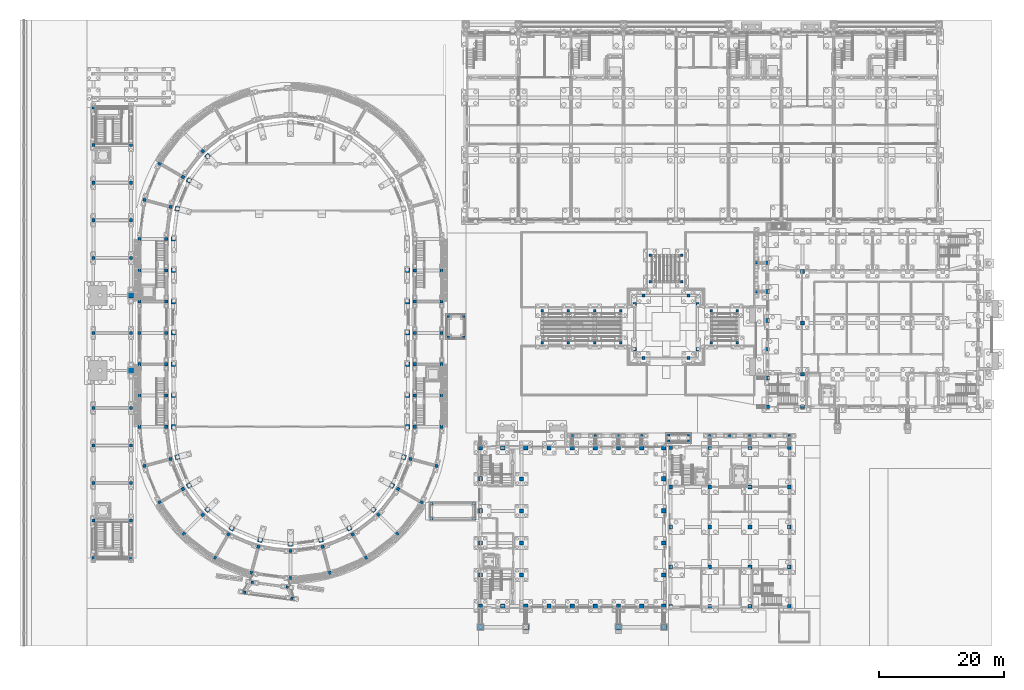
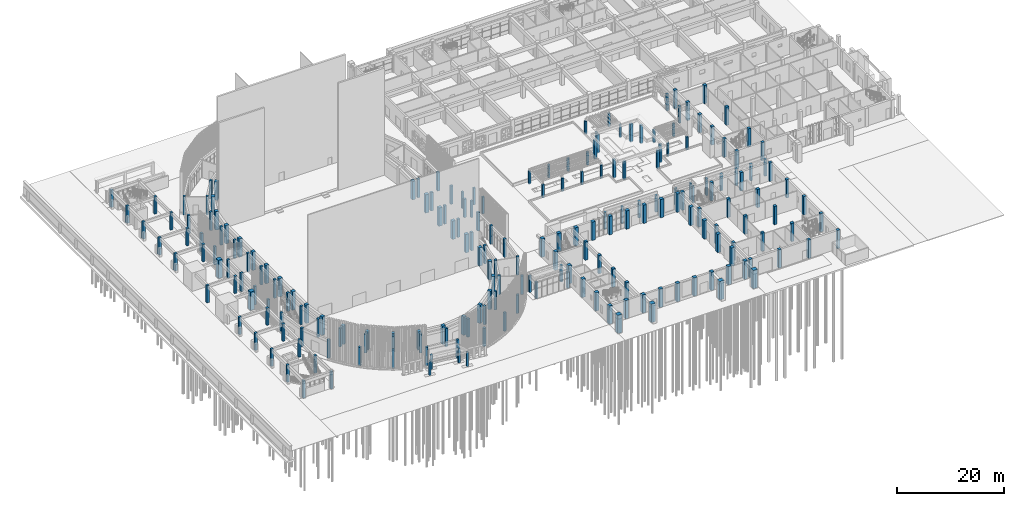
# One storey, part 12 of 112: 218 columns.
"""IFC4 building model written with IfcOpenShell, lengths in metres."""

import ifcopenshell
import ifcopenshell.guid

model = None  # the IFC model being written
_history = None  # IfcOwnerHistory: only IFC2X3 demands one
_inside = {}  # id of a spatial element -> (the spatial element, [elements in it])
_under = {}  # id of a project, library or spatial element -> (it, [spatial elements below it])
_declared = {}  # id of a project -> (the project, [libraries it declares])
_typed = {}  # id of a type object -> (the type object, [elements of that type])
_made_of = {}  # id of a material, layer set ... -> (it, [elements and type objects made of it])


def new_model(schema):
    """Start an empty IFC model of exactly this schema.

    Asked for "IFC4X3", IfcOpenShell would pick the latest addendum, in which some entities
    have other attributes; the version numbers below select the first issue.
    IFC2X3 requires an IfcOwnerHistory on every rooted entity: one is made here for all.
    """
    global model, _history
    if schema == "IFC4X3":
        model = ifcopenshell.file(schema_version=(4, 3, 0, 0))
    else:
        model = ifcopenshell.file(schema=schema)
    _inside.clear()
    _under.clear()
    _declared.clear()
    _typed.clear()
    _made_of.clear()
    _history = None
    if model.schema == "IFC2X3":
        org = make("IfcOrganization", Name="unknown")
        user = make(
            "IfcPersonAndOrganization",
            ThePerson=make("IfcPerson", FamilyName="unknown"),
            TheOrganization=org,
        )
        app = make(
            "IfcApplication",
            ApplicationDeveloper=org,
            Version="unknown",
            ApplicationFullName="unknown",
            ApplicationIdentifier="unknown",
        )
        _history = make(
            "IfcOwnerHistory",
            OwningUser=user,
            OwningApplication=app,
            ChangeAction="ADDED",
            CreationDate=0,
        )
    return model


def make(cls, **values):
    """One entity of the class cls with the attributes given. An attribute that is None is left unset."""
    return model.create_entity(
        cls, **{name: value for name, value in values.items() if value is not None}
    )


def rooted(cls, **values):
    """An entity with a GlobalId (a new one), such as an element, a storey or a relation."""
    return make(cls, GlobalId=ifcopenshell.guid.new(), OwnerHistory=_history, **values)


def si_unit(unit_type, name, prefix=None):
    """IfcSIUnit, for example si_unit("LENGTHUNIT", "METRE", prefix="MILLI")."""
    return make("IfcSIUnit", UnitType=unit_type, Prefix=prefix, Name=name)


def assignment(units):
    """IfcUnitAssignment: the units of a project."""
    return None if units is None else make("IfcUnitAssignment", Units=units)


def point(xyz):
    """IfcCartesianPoint."""
    return None if xyz is None else make("IfcCartesianPoint", Coordinates=xyz)


def direction(xyz):
    """IfcDirection."""
    return None if xyz is None else make("IfcDirection", DirectionRatios=xyz)


def frame(location, z_axis=None, x_axis=None):
    """IfcAxis2Placement3D, a coordinate frame: its origin and axes. An axis left out is left unset."""
    return make(
        "IfcAxis2Placement3D",
        Location=point(location),
        Axis=direction(z_axis),
        RefDirection=direction(x_axis),
    )


def frame_2d(location, x_axis=None):
    """IfcAxis2Placement2D, a coordinate frame in the plane: its origin and x axis."""
    return make(
        "IfcAxis2Placement2D", Location=point(location), RefDirection=direction(x_axis)
    )


def origin():
    """The frame at (0, 0, 0) with its axes left unset."""
    return frame((0.0, 0.0, 0.0))


def origin_2d():
    """The frame at (0, 0) in the plane with its x axis left unset."""
    return frame_2d((0.0, 0.0))


def place(relative_to, where):
    """IfcLocalPlacement: puts the frame where relative to a parent placement (None: the world)."""
    return make(
        "IfcLocalPlacement", PlacementRelTo=relative_to, RelativePlacement=where
    )


def context(
    kind, dimensions, precision=None, world=None, true_north=None, identifier=None
):
    """IfcGeometricRepresentationContext, for example the 3D "Model" context."""
    return make(
        "IfcGeometricRepresentationContext",
        ContextIdentifier=identifier,
        ContextType=kind,
        CoordinateSpaceDimension=dimensions,
        Precision=precision,
        WorldCoordinateSystem=world,
        TrueNorth=true_north,
    )


def subcontext(parent, identifier, kind, view, scale=None):
    """IfcGeometricRepresentationSubContext, for example "Body" below "Model"."""
    return make(
        "IfcGeometricRepresentationSubContext",
        ContextIdentifier=identifier,
        ContextType=kind,
        ParentContext=parent,
        TargetScale=scale,
        TargetView=view,
    )


def project(units=None, contexts=None):
    """IfcProject with its units and contexts."""
    return rooted(
        "IfcProject",
        Name="project",
        RepresentationContexts=contexts,
        UnitsInContext=assignment(units),
    )


def spatial(cls, under=None, at=None, **own):
    """A site, building, storey or space (cls), placed at a placement, below another one or the project."""
    s = rooted(cls, ObjectPlacement=at, **own)
    if under is not None:
        _under.setdefault(under.id(), (under, []))[1].append(s)
    return s


def profile(cls, at=None, kind="AREA", **sizes):
    """A parametric profile (cls). Its sizes go by their IFC names, for example OverallWidth=200.0."""
    return make(cls, ProfileType=kind, Position=at, **sizes)


def rectangle(**sizes):
    """IfcRectangleProfileDef."""
    return profile("IfcRectangleProfileDef", **sizes)


def extrude(swept, where, along, depth):
    """IfcExtrudedAreaSolid: the profile swept, set in the frame where, extruded along a direction by depth."""
    return make(
        "IfcExtrudedAreaSolid",
        SweptArea=swept,
        Position=where,
        ExtrudedDirection=direction(along),
        Depth=depth,
    )


def shape(context_of_items, identifier, shape_type, items):
    """IfcShapeRepresentation: the items that make up one representation, for example the "Body"."""
    return make(
        "IfcShapeRepresentation",
        ContextOfItems=context_of_items,
        RepresentationIdentifier=identifier,
        RepresentationType=shape_type,
        Items=items,
    )


def material(Name=None, Category=None):
    """IfcMaterial."""
    return make("IfcMaterial", Name=Name, Category=Category)


def material_profile(
    of_material, cross_section, Name=None, Category=None, Priority=None
):
    """IfcMaterialProfile: a cross section and its material."""
    return make(
        "IfcMaterialProfile",
        Name=Name,
        Material=of_material,
        Profile=cross_section,
        Priority=Priority,
        Category=Category,
    )


def profile_set(profiles, Name=None, composite=None):
    """IfcMaterialProfileSet."""
    return make(
        "IfcMaterialProfileSet",
        Name=Name,
        MaterialProfiles=profiles,
        CompositeProfile=composite,
    )


def made_of(thing, what):
    """Note that an element or type object is made of a material, layer set ...; save() writes the relation."""
    if what is not None:
        _made_of.setdefault(what.id(), (what, []))[1].append(thing)
    return thing


def type_object(cls, material=None, **own):
    """A type object (cls), such as IfcWallType, which elements share."""
    return made_of(rooted(cls, **own), material)


def element(
    cls,
    number,
    at=None,
    inside=None,
    cuts=None,
    type_object=None,
    material=None,
    context=None,
    identifier="Body",
    shape_type=None,
    held_by="IfcProductDefinitionShape",
    body=None,
    shapes=None,
    **own,
):
    """One element of the class cls, such as IfcWall. Its Tag is "e" and its number.

    at: its placement. inside: the storey or other place that contains it. cuts: it is an
    opening in that element (IfcRelVoidsElement). A single representation is given by context,
    identifier, shape_type and body (its items); several are given by shapes. held_by: the class
    of the entity that holds the representations. save() writes the other relations.
    """
    e = rooted(cls, Tag="e%d" % number, ObjectPlacement=at, **own)
    if body is not None:
        shapes = [shape(context, identifier, shape_type, body)]
    if shapes is not None:
        e.Representation = make(held_by, Representations=shapes)
    if inside is not None:
        _inside.setdefault(inside.id(), (inside, []))[1].append(e)
    if cuts is not None:
        rooted(
            "IfcRelVoidsElement", RelatingBuildingElement=cuts, RelatedOpeningElement=e
        )
    if type_object is not None:
        _typed.setdefault(type_object.id(), (type_object, []))[1].append(e)
    return made_of(e, material)


def aggregate(whole, parts):
    """IfcRelAggregates: a whole, such as a stair, and the parts it consists of."""
    return rooted("IfcRelAggregates", RelatingObject=whole, RelatedObjects=parts)


def save(model, path):
    """Write the relations noted so far, then the file.

    IfcRelAggregates (storeys below a building ...), IfcRelContainedInSpatialStructure (elements
    in a storey), IfcRelDefinesByType, IfcRelAssociatesMaterial and IfcRelDeclares: one each for
    every whole, place, type object, material and project.
    """
    for whole, parts in _under.values():
        aggregate(whole, parts)
    for where, things in _inside.values():
        rooted(
            "IfcRelContainedInSpatialStructure",
            RelatedElements=things,
            RelatingStructure=where,
        )
    for kind, things in _typed.values():
        rooted("IfcRelDefinesByType", RelatedObjects=things, RelatingType=kind)
    for what, things in _made_of.values():
        rooted("IfcRelAssociatesMaterial", RelatedObjects=things, RelatingMaterial=what)
    for by, libraries in _declared.values():
        rooted("IfcRelDeclares", RelatingContext=by, RelatedDefinitions=libraries)
    model.write(path)


model = new_model("IFC4")

# Units and contexts
model_context = context("Model", 3, precision=1e-05, world=origin(), true_north=direction((0.0, 1.0)))
body_context = subcontext(model_context, "Body", "Model", "MODEL_VIEW")
ifc_project = project(units=[si_unit("LENGTHUNIT", "METRE"), si_unit("AREAUNIT", "SQUARE_METRE"), si_unit("VOLUMEUNIT", "CUBIC_METRE"), si_unit("PLANEANGLEUNIT", "RADIAN"), si_unit("MASSUNIT", "GRAM", prefix="KILO")], contexts=[model_context])

# Site, building, storey
site_placement = place(None, origin())
site = spatial("IfcSite", under=ifc_project, at=site_placement, CompositionType="ELEMENT")
building_placement = place(site_placement, origin())
building = spatial("IfcBuilding", under=site, at=building_placement, Name="Wasatch Bagh Community Centre", CompositionType="ELEMENT")
storey_placement = place(building_placement, origin())
storey = spatial("IfcBuildingStorey", under=building, at=storey_placement, Name="L00", CompositionType="ELEMENT", Elevation=0.0)

# Columns
ifc_material = material(Name="Concrete C40", Category="concrete")
ifc_material_profile_1 = material_profile(ifc_material, rectangle(XDim=0.449951171875, YDim=0.449951171875, at=origin_2d()), Name="RC 450x450")
ifc_profile_set_1 = profile_set([ifc_material_profile_1], Name="Concrete C40")
column_type_1 = type_object("IfcColumnType", Name="CL-C1", PredefinedType="COLUMN", material=ifc_profile_set_1)
for number, where, z_axis, x_axis, name in (
    (1, (81.0, 33.550048828125, 0.0), (0.0, 0.0, 1.0), (1.0, 0.0, 0.0), "CL-C1 arcade column DH 1"),
    (2, (84.699951171875, 33.550048828125, 0.0), (0.0, 0.0, 1.0), (1.0, 0.0, 0.0), "CL-C1 arcade column DH 2"),
    (3, (88.39990234375, 33.550048828125, 0.0), (0.0, 0.0, 1.0), (1.0, 0.0, 0.0), "CL-C1 arcade column DH 3"),
    (4, (92.10009765625, 33.550048828125, 0.0), (0.0, 0.0, 1.0), (1.0, 0.0, 0.0), "CL-C1 arcade column DH 4"),
    (5, (103.0, 33.550048828125, 0.0), (0.0, 0.0, 1.0), (1.0, 0.0, 0.0), "CL-C1 arcade column KW 1"),
    (6, (106.199951171875, 33.550048828125, 0.0), (0.0, 0.0, 1.0), (1.0, 0.0, 0.0), "CL-C1 arcade column KW 2"),
    (7, (109.39990234375, 33.550048828125, 0.0), (0.0, 0.0, 1.0), (1.0, 0.0, 0.0), "CL-C1 arcade column KW 3"),
    (8, (112.550048828125, 33.550048828125, 0.0), (0.0, 0.0, 1.0), (1.0, 0.0, 0.0), "CL-C1 arcade column KW 4"),
    (9, (115.699951171875, 33.550048828125, 0.0), (0.0, 0.0, 1.0), (1.0, 0.0, 0.0), "CL-C1 arcade column KW 5"),
    (10, (110.449951171875, 56.60009765625, 0.0), (0.0, 0.0, 1.0), (1.0, 0.0, 0.0), "CL-C1 arcade column SH 1"),
    (11, (110.449951171875, 61.199951171875, 0.0), (0.0, 0.0, 1.0), (1.0, 0.0, 0.0), "CL-C1 arcade column SH 2"),
):
    element("IfcColumn", number, at=place(storey_placement, frame(where, z_axis=z_axis, x_axis=x_axis)), inside=storey, type_object=column_type_1, Name=name, PredefinedType="COLUMN", context=body_context, shape_type="SweptSolid", body=[
        extrude(rectangle(XDim=0.449951171875, YDim=0.449951171875, at=origin_2d()), origin(), (0.0, 0.0, 1.0), 3.85009765625),
    ])
ifc_material_profile_2 = material_profile(ifc_material, rectangle(XDim=0.89990234375, YDim=0.89990234375, at=origin_2d()), Name="RC 900x900")
ifc_profile_set_2 = profile_set([ifc_material_profile_2], Name="Concrete C40")
column_type_2 = type_object("IfcColumnType", Name="CL-P1", PredefinedType="COLUMN", material=ifc_profile_set_2)
for number, where, z_axis, x_axis, name in (
    (12, (66.35009765625, 3.0, 0.0), (0.0, 0.0, 1.0), (1.0, 0.0, 0.0), "CL-P1 pier DHP1"),
    (13, (73.60009765625, 3.0, 0.0), (0.0, 0.0, 1.0), (1.0, 0.0, 0.0), "CL-P1 pier DHP2"),
    (14, (88.39990234375, 3.0, 0.0), (0.0, 0.0, 1.0), (1.0, 0.0, 0.0), "CL-P1 pier DHP3"),
    (15, (95.64990234375, 3.0, 0.0), (0.0, 0.0, 1.0), (1.0, 0.0, 0.0), "CL-P1 pier DHP4"),
):
    element("IfcColumn", number, at=place(storey_placement, frame(where, z_axis=z_axis, x_axis=x_axis)), inside=storey, type_object=column_type_2, Name=name, PredefinedType="COLUMN", context=body_context, shape_type="SweptSolid", body=[
        extrude(rectangle(XDim=0.89990234375, YDim=0.89990234375, at=origin_2d()), origin(), (0.0, 0.0, 1.0), 4.199951171875),
    ])
ifc_material_profile_3 = material_profile(ifc_material, rectangle(XDim=0.89990234375, YDim=0.89990234375, at=origin_2d()), Name="RC 900x900")
ifc_profile_set_3 = profile_set([ifc_material_profile_3], Name="Concrete C40")
column_type_3 = type_object("IfcColumnType", Name="CP-C1", PredefinedType="COLUMN", material=ifc_profile_set_3)
for number, where, z_axis, x_axis, name in (
    (16, (10.5, 44.0, 0.0), (0.0, 0.0, 1.0), (1.0, 0.0, 0.0), "CP-C1 rear post 1"),
    (17, (10.5, 56.0, 0.0), (0.0, 0.0, 1.0), (1.0, 0.0, 0.0), "CP-C1 rear post 2"),
):
    element("IfcColumn", number, at=place(storey_placement, frame(where, z_axis=z_axis, x_axis=x_axis)), inside=storey, type_object=column_type_3, Name=name, PredefinedType="COLUMN", context=body_context, shape_type="SweptSolid", body=[
        extrude(rectangle(XDim=0.89990234375, YDim=0.89990234375, at=origin_2d()), origin(), (0.0, 0.0, 1.0), 4.199951171875),
    ])
ifc_material_profile_4 = material_profile(ifc_material, rectangle(XDim=0.5, YDim=0.5, at=origin_2d()), Name="RC 500x500")
ifc_profile_set_4 = profile_set([ifc_material_profile_4], Name="Concrete C40")
column_type_4 = type_object("IfcColumnType", Name="CT-C1", PredefinedType="COLUMN", material=ifc_profile_set_4)
for number, where, z_axis, x_axis, name in (
    (18, (4.5, 14.0, 0.0), (0.0, 0.0, 1.0), (1.0, 0.0, 0.0), "CT-C1 column 1.1"),
    (19, (10.5, 14.0, 0.0), (0.0, 0.0, 1.0), (1.0, 0.0, 0.0), "CT-C1 column 1.2"),
    (20, (4.5, 20.0, 0.0), (0.0, 0.0, 1.0), (1.0, 0.0, 0.0), "CT-C1 column 2.1"),
    (21, (10.5, 20.0, 0.0), (0.0, 0.0, 1.0), (1.0, 0.0, 0.0), "CT-C1 column 2.2"),
    (22, (4.5, 26.0, 0.0), (0.0, 0.0, 1.0), (1.0, 0.0, 0.0), "CT-C1 column 3.1"),
    (23, (10.5, 26.0, 0.0), (0.0, 0.0, 1.0), (1.0, 0.0, 0.0), "CT-C1 column 3.2"),
    (24, (4.5, 32.0, 0.0), (0.0, 0.0, 1.0), (1.0, 0.0, 0.0), "CT-C1 column 4.1"),
    (25, (10.5, 32.0, 0.0), (0.0, 0.0, 1.0), (1.0, 0.0, 0.0), "CT-C1 column 4.2"),
    (26, (4.5, 38.0, 0.0), (0.0, 0.0, 1.0), (1.0, 0.0, 0.0), "CT-C1 column 5.1"),
    (27, (10.5, 38.0, 0.0), (0.0, 0.0, 1.0), (1.0, 0.0, 0.0), "CT-C1 column 5.2"),
    (28, (4.5, 50.0, 0.0), (0.0, 0.0, 1.0), (1.0, 0.0, 0.0), "CT-C1 column 7.1"),
    (29, (10.5, 50.0, 0.0), (0.0, 0.0, 1.0), (1.0, 0.0, 0.0), "CT-C1 column 7.2"),
    (30, (4.5, 62.0, 0.0), (0.0, 0.0, 1.0), (1.0, 0.0, 0.0), "CT-C1 column 9.1"),
    (31, (10.5, 62.0, 0.0), (0.0, 0.0, 1.0), (1.0, 0.0, 0.0), "CT-C1 column 9.2"),
    (32, (4.5, 68.0, 0.0), (0.0, 0.0, 1.0), (1.0, 0.0, 0.0), "CT-C1 column 10.1"),
    (33, (10.5, 68.0, 0.0), (0.0, 0.0, 1.0), (1.0, 0.0, 0.0), "CT-C1 column 10.2"),
    (34, (4.5, 74.0, 0.0), (0.0, 0.0, 1.0), (1.0, 0.0, 0.0), "CT-C1 column 11.1"),
    (35, (10.5, 74.0, 0.0), (0.0, 0.0, 1.0), (1.0, 0.0, 0.0), "CT-C1 column 11.2"),
    (36, (4.5, 80.0, 0.0), (0.0, 0.0, 1.0), (1.0, 0.0, 0.0), "CT-C1 column 12.1"),
    (37, (10.5, 80.0, 0.0), (0.0, 0.0, 1.0), (1.0, 0.0, 0.0), "CT-C1 column 12.2"),
    (38, (4.5, 86.0, 0.0), (0.0, 0.0, 1.0), (1.0, 0.0, 0.0), "CT-C1 column 13.1"),
):
    element("IfcColumn", number, at=place(storey_placement, frame(where, z_axis=z_axis, x_axis=x_axis)), inside=storey, type_object=column_type_4, Name=name, PredefinedType="COLUMN", context=body_context, shape_type="SweptSolid", body=[
        extrude(rectangle(XDim=0.5, YDim=0.5, at=origin_2d()), origin(), (0.0, 0.0, 1.0), 3.949951171875),
    ])
ifc_material_profile_5 = material_profile(ifc_material, rectangle(XDim=0.60009765625, YDim=0.60009765625, at=origin_2d()), Name="RC 600x600")
ifc_profile_set_5 = profile_set([ifc_material_profile_5], Name="Concrete C40")
column_type_5 = type_object("IfcColumnType", Name="DH RC 600x600 column", PredefinedType="COLUMN", material=ifc_profile_set_5)
for number, where, z_axis, x_axis, name in (
    (39, (72.89990234375, 11.320068359375, 0.0), (0.0, 0.0, 1.0), (1.0, 0.0, 0.0), "DH.col.L00.g01"),
    (40, (72.89990234375, 16.43994140625, 0.0), (0.0, 0.0, 1.0), (1.0, 0.0, 0.0), "DH.col.L00.g02"),
    (41, (72.89990234375, 21.56005859375, 0.0), (0.0, 0.0, 1.0), (1.0, 0.0, 0.0), "DH.col.L00.g03"),
    (42, (72.89990234375, 26.679931640625, 0.0), (0.0, 0.0, 1.0), (1.0, 0.0, 0.0), "DH.col.L00.g04"),
):
    element("IfcColumn", number, at=place(storey_placement, frame(where, z_axis=z_axis, x_axis=x_axis)), inside=storey, type_object=column_type_5, Name=name, PredefinedType="COLUMN", context=body_context, shape_type="SweptSolid", body=[
        extrude(rectangle(XDim=0.60009765625, YDim=0.60009765625, at=origin_2d()), origin(), (0.0, 0.0, 1.0), 4.199951171875),
    ])
ifc_material_profile_6 = material_profile(ifc_material, rectangle(XDim=0.699951171875, YDim=0.699951171875, at=origin_2d()), Name="RC 700x700")
ifc_profile_set_6 = profile_set([ifc_material_profile_6], Name="Concrete C40")
column_type_6 = type_object("IfcColumnType", Name="DH RC 700x700 column", PredefinedType="COLUMN", material=ifc_profile_set_6)
for number, where, z_axis, x_axis, name in (
    (43, (66.35009765625, 6.35009765625, 0.0), (0.0, 0.0, 1.0), (1.0, 0.0, 0.0), "DH.col.L00.01"),
    (44, (69.89990234375, 6.35009765625, 0.0), (0.0, 0.0, 1.0), (1.0, 0.0, 0.0), "DH.col.L00.02"),
    (45, (73.60009765625, 6.35009765625, 0.0), (0.0, 0.0, 1.0), (1.0, 0.0, 0.0), "DH.col.L00.03"),
    (46, (77.300048828125, 6.35009765625, 0.0), (0.0, 0.0, 1.0), (1.0, 0.0, 0.0), "DH.col.L00.04"),
    (47, (81.0, 6.35009765625, 0.0), (0.0, 0.0, 1.0), (1.0, 0.0, 0.0), "DH.col.L00.05"),
    (48, (84.699951171875, 6.35009765625, 0.0), (0.0, 0.0, 1.0), (1.0, 0.0, 0.0), "DH.col.L00.06"),
    (49, (88.39990234375, 6.35009765625, 0.0), (0.0, 0.0, 1.0), (1.0, 0.0, 0.0), "DH.col.L00.07"),
    (50, (92.10009765625, 6.35009765625, 0.0), (0.0, 0.0, 1.0), (1.0, 0.0, 0.0), "DH.col.L00.08"),
    (51, (95.64990234375, 6.35009765625, 0.0), (0.0, 0.0, 1.0), (1.0, 0.0, 0.0), "DH.col.L00.09"),
    (52, (66.35009765625, 31.64990234375, 0.0), (0.0, 0.0, 1.0), (1.0, 0.0, 0.0), "DH.col.L00.10"),
    (53, (69.89990234375, 31.64990234375, 0.0), (0.0, 0.0, 1.0), (1.0, 0.0, 0.0), "DH.col.L00.11"),
    (54, (73.60009765625, 31.64990234375, 0.0), (0.0, 0.0, 1.0), (1.0, 0.0, 0.0), "DH.col.L00.12"),
    (55, (77.300048828125, 31.64990234375, 0.0), (0.0, 0.0, 1.0), (1.0, 0.0, 0.0), "DH.col.L00.13"),
    (56, (81.0, 31.64990234375, 0.0), (0.0, 0.0, 1.0), (1.0, 0.0, 0.0), "DH.col.L00.14"),
    (57, (84.699951171875, 31.64990234375, 0.0), (0.0, 0.0, 1.0), (1.0, 0.0, 0.0), "DH.col.L00.15"),
    (58, (88.39990234375, 31.64990234375, 0.0), (0.0, 0.0, 1.0), (1.0, 0.0, 0.0), "DH.col.L00.16"),
    (59, (92.10009765625, 31.64990234375, 0.0), (0.0, 0.0, 1.0), (1.0, 0.0, 0.0), "DH.col.L00.17"),
    (60, (95.64990234375, 31.64990234375, 0.0), (0.0, 0.0, 1.0), (1.0, 0.0, 0.0), "DH.col.L00.18"),
    (61, (66.35009765625, 11.320068359375, 0.0), (0.0, 0.0, 1.0), (1.0, 0.0, 0.0), "DH.col.L00.19"),
    (62, (66.35009765625, 16.43994140625, 0.0), (0.0, 0.0, 1.0), (1.0, 0.0, 0.0), "DH.col.L00.20"),
    (63, (66.35009765625, 21.56005859375, 0.0), (0.0, 0.0, 1.0), (1.0, 0.0, 0.0), "DH.col.L00.21"),
    (64, (66.35009765625, 26.679931640625, 0.0), (0.0, 0.0, 1.0), (1.0, 0.0, 0.0), "DH.col.L00.22"),
    (65, (95.64990234375, 11.320068359375, 0.0), (0.0, 0.0, 1.0), (1.0, 0.0, 0.0), "DH.col.L00.23"),
    (66, (95.64990234375, 16.43994140625, 0.0), (0.0, 0.0, 1.0), (1.0, 0.0, 0.0), "DH.col.L00.24"),
    (67, (95.64990234375, 21.56005859375, 0.0), (0.0, 0.0, 1.0), (1.0, 0.0, 0.0), "DH.col.L00.25"),
    (68, (95.64990234375, 26.679931640625, 0.0), (0.0, 0.0, 1.0), (1.0, 0.0, 0.0), "DH.col.L00.26"),
):
    element("IfcColumn", number, at=place(storey_placement, frame(where, z_axis=z_axis, x_axis=x_axis)), inside=storey, type_object=column_type_6, Name=name, PredefinedType="COLUMN", context=body_context, shape_type="SweptSolid", body=[
        extrude(rectangle(XDim=0.699951171875, YDim=0.699951171875, at=origin_2d()), origin(), (0.0, 0.0, 1.0), 4.199951171875),
    ])
ifc_material_profile_7 = material_profile(ifc_material, rectangle(XDim=0.5, YDim=0.5, at=origin_2d()), Name="RC 500x500")
ifc_profile_set_7 = profile_set([ifc_material_profile_7], Name="Concrete C40")
column_type_7 = type_object("IfcColumnType", Name="Drum column RC 500x500", PredefinedType="COLUMN", material=ifc_profile_set_7)
for number, where, z_axis, x_axis, name in (
    (69, (16.14990234375, 35.0, 0.0), (0.0, 0.0, 1.0), (1.0, 0.0, 0.0), "Column DI-W1"),
    (70, (16.826416015625, 29.862548828125, 0.0), (0.0, 0.0, 1.0), (0.965925826289, 0.258819045103, 0.0), "Column DI-S1"),
    (71, (18.809326171875, 25.074951171875, 0.0), (0.0, 0.0, 1.0), (0.866025403784, 0.5, 0.0), "Column DI-S2"),
    (72, (21.9638671875, 20.9638671875, 0.0), (0.0, 0.0, 1.0), (0.707106781187, 0.707106781187, 0.0), "Column DI-S3"),
    (73, (26.074951171875, 17.809326171875, 0.0), (0.0, 0.0, 1.0), (0.5, 0.866025403784, 0.0), "Column DI-S4"),
    (74, (30.862548828125, 15.826416015625, 0.0), (0.0, 0.0, 1.0), (0.258819045103, 0.965925826289, 0.0), "Column DI-S5"),
    (75, (36.0, 15.14990234375, 0.0), (0.0, 0.0, 1.0), (1.0, 0.0, 0.0), "Column DI-S6"),
    (76, (41.137451171875, 15.826416015625, 0.0), (0.0, 0.0, 1.0), (0.965925826289, 0.258819045103, 0.0), "Column DI-S7"),
    (77, (45.925048828125, 17.809326171875, 0.0), (0.0, 0.0, 1.0), (0.866025403784, 0.5, 0.0), "Column DI-S8"),
    (78, (50.0361328125, 20.9638671875, 0.0), (0.0, 0.0, 1.0), (0.707106781187, 0.707106781187, 0.0), "Column DI-S9"),
    (79, (53.190673828125, 25.074951171875, 0.0), (0.0, 0.0, 1.0), (0.5, 0.866025403784, 0.0), "Column DI-S10"),
    (80, (55.173583984375, 29.862548828125, 0.0), (0.0, 0.0, 1.0), (0.258819045103, 0.965925826289, 0.0), "Column DI-S11"),
    (81, (55.85009765625, 35.0, 0.0), (0.0, 0.0, 1.0), (1.0, 0.0, 0.0), "Column DI-E1"),
    (82, (55.85009765625, 40.0, 0.0), (0.0, 0.0, 1.0), (1.0, 0.0, 0.0), "Column DI-E2"),
    (83, (55.85009765625, 45.0, 0.0), (0.0, 0.0, 1.0), (1.0, 0.0, 0.0), "Column DI-E3"),
    (84, (55.85009765625, 50.0, 0.0), (0.0, 0.0, 1.0), (1.0, 0.0, 0.0), "Column DI-E4"),
    (85, (55.85009765625, 55.0, 0.0), (0.0, 0.0, 1.0), (1.0, 0.0, 0.0), "Column DI-E5"),
    (86, (55.85009765625, 60.0, 0.0), (0.0, 0.0, 1.0), (1.0, 0.0, 0.0), "Column DI-E6"),
    (87, (21.9638671875, 79.0361328125, 0.0), (0.0, 0.0, 1.0), (0.707106781187, 0.707106781187, 0.0), "Column DI-N9"),
    (88, (18.809326171875, 74.925048828125, 0.0), (0.0, 0.0, 1.0), (0.5, 0.866025403784, 0.0), "Column DI-N10"),
    (89, (16.826416015625, 70.137451171875, 0.0), (0.0, 0.0, 1.0), (0.258819045103, 0.965925826289, 0.0), "Column DI-N11"),
    (90, (16.14990234375, 65.0, 0.0), (0.0, 0.0, 1.0), (1.0, 0.0, 0.0), "Column DI-W7"),
    (91, (16.14990234375, 60.0, 0.0), (0.0, 0.0, 1.0), (1.0, 0.0, 0.0), "Column DI-W6"),
    (92, (16.14990234375, 55.0, 0.0), (0.0, 0.0, 1.0), (1.0, 0.0, 0.0), "Column DI-W5"),
    (93, (16.14990234375, 50.0, 0.0), (0.0, 0.0, 1.0), (1.0, 0.0, 0.0), "Column DI-W4"),
    (94, (16.14990234375, 45.0, 0.0), (0.0, 0.0, 1.0), (1.0, 0.0, 0.0), "Column DI-W3"),
    (95, (16.14990234375, 40.0, 0.0), (0.0, 0.0, 1.0), (1.0, 0.0, 0.0), "Column DI-W2"),
    (96, (11.85009765625, 35.0, 0.0), (0.0, 0.0, 1.0), (1.0, 0.0, 0.0), "Column DO-W1"),
    (97, (12.6728515625, 28.74951171875, 0.0), (0.0, 0.0, 1.0), (0.965925826289, 0.258819045103, 0.0), "Column DO-S1"),
    (98, (15.08544921875, 22.925048828125, 0.0), (0.0, 0.0, 1.0), (0.866025403784, 0.5, 0.0), "Column DO-S2"),
    (99, (18.92333984375, 17.92333984375, 0.0), (0.0, 0.0, 1.0), (0.707106781187, 0.707106781187, 0.0), "Column DO-S3"),
    (100, (23.925048828125, 14.08544921875, 0.0), (0.0, 0.0, 1.0), (0.5, 0.866025403784, 0.0), "Column DO-S4"),
    (101, (29.74951171875, 11.6728515625, 0.0), (0.0, 0.0, 1.0), (0.258819045103, 0.965925826289, 0.0), "Column DO-S5"),
    (102, (36.0, 10.85009765625, 0.0), (0.0, 0.0, 1.0), (1.0, 0.0, 0.0), "Column DO-S6"),
    (103, (42.25048828125, 11.6728515625, 0.0), (0.0, 0.0, 1.0), (0.965925826289, 0.258819045103, 0.0), "Column DO-S7"),
    (104, (48.074951171875, 14.08544921875, 0.0), (0.0, 0.0, 1.0), (0.866025403784, 0.5, 0.0), "Column DO-S8"),
    (105, (53.07666015625, 17.92333984375, 0.0), (0.0, 0.0, 1.0), (0.707106781187, 0.707106781187, 0.0), "Column DO-S9"),
    (106, (56.91455078125, 22.925048828125, 0.0), (0.0, 0.0, 1.0), (0.5, 0.866025403784, 0.0), "Column DO-S10"),
    (107, (59.3271484375, 28.74951171875, 0.0), (0.0, 0.0, 1.0), (0.258819045103, 0.965925826289, 0.0), "Column DO-S11"),
    (108, (60.14990234375, 35.0, 0.0), (0.0, 0.0, 1.0), (1.0, 0.0, 0.0), "Column DO-E1"),
    (109, (60.14990234375, 40.0, 0.0), (0.0, 0.0, 1.0), (1.0, 0.0, 0.0), "Column DO-E2"),
    (110, (60.14990234375, 45.0, 0.0), (0.0, 0.0, 1.0), (1.0, 0.0, 0.0), "Column DO-E3"),
    (111, (60.14990234375, 50.0, 0.0), (0.0, 0.0, 1.0), (1.0, 0.0, 0.0), "Column DO-E4"),
    (112, (60.14990234375, 55.0, 0.0), (0.0, 0.0, 1.0), (1.0, 0.0, 0.0), "Column DO-E5"),
    (113, (60.14990234375, 60.0, 0.0), (0.0, 0.0, 1.0), (1.0, 0.0, 0.0), "Column DO-E6"),
    (114, (15.08544921875, 77.074951171875, 0.0), (0.0, 0.0, 1.0), (0.5, 0.866025403784, 0.0), "Column DO-N10"),
    (115, (12.6728515625, 71.25048828125, 0.0), (0.0, 0.0, 1.0), (0.258819045103, 0.965925826289, 0.0), "Column DO-N11"),
    (116, (11.85009765625, 65.0, 0.0), (0.0, 0.0, 1.0), (1.0, 0.0, 0.0), "Column DO-W7"),
    (117, (11.85009765625, 60.0, 0.0), (0.0, 0.0, 1.0), (1.0, 0.0, 0.0), "Column DO-W6"),
    (118, (11.85009765625, 55.0, 0.0), (0.0, 0.0, 1.0), (1.0, 0.0, 0.0), "Column DO-W5"),
    (119, (11.85009765625, 50.0, 0.0), (0.0, 0.0, 1.0), (1.0, 0.0, 0.0), "Column DO-W4"),
    (120, (11.85009765625, 45.0, 0.0), (0.0, 0.0, 1.0), (1.0, 0.0, 0.0), "Column DO-W3"),
    (121, (11.85009765625, 40.0, 0.0), (0.0, 0.0, 1.0), (1.0, 0.0, 0.0), "Column DO-W2"),
):
    element("IfcColumn", number, at=place(storey_placement, frame(where, z_axis=z_axis, x_axis=x_axis)), inside=storey, type_object=column_type_7, Name=name, PredefinedType="COLUMN", context=body_context, shape_type="SweptSolid", body=[
        extrude(rectangle(XDim=0.5, YDim=0.5, at=origin_2d()), origin(), (0.0, 0.0, 1.0), 4.199951171875),
    ])
ifc_material_profile_8 = material_profile(ifc_material, rectangle(XDim=0.39990234375, YDim=0.39990234375, at=origin_2d()), Name="RC 400x400")
ifc_profile_set_8 = profile_set([ifc_material_profile_8], Name="Concrete C40")
column_type_8 = type_object("IfcColumnType", Name="FD canopy column RC 400x400", PredefinedType="COLUMN", material=ifc_profile_set_8)
for number, where, z_axis, x_axis, name in (
    (122, (29.900634765625, 10.14013671875, 0.0), (0.0, 0.0, 1.0), (0.991444861374, -0.13052619222, 0.0), "Canopy column RW"),
    (123, (35.457275390625, 9.408447265625, 0.0), (0.0, 0.0, 1.0), (0.991444861374, -0.13052619222, 0.0), "Canopy column RE"),
    (124, (28.6875, 8.585205078125, 0.0), (0.0, 0.0, 1.0), (0.991444861374, -0.13052619222, 0.0), "Canopy column FW"),
    (125, (36.226806640625, 7.592529296875, 0.0), (0.0, 0.0, 1.0), (0.991444861374, -0.13052619222, 0.0), "Canopy column FE"),
):
    element("IfcColumn", number, at=place(storey_placement, frame(where, z_axis=z_axis, x_axis=x_axis)), inside=storey, type_object=column_type_8, Name=name, PredefinedType="COLUMN", context=body_context, shape_type="SweptSolid", body=[
        extrude(rectangle(XDim=0.39990234375, YDim=0.39990234375, at=origin_2d()), origin(), (0.0, 0.0, 1.0), 3.300048828125),
    ])
ifc_material_profile_9 = material_profile(ifc_material, rectangle(XDim=0.60009765625, YDim=0.60009765625, at=origin_2d()), Name="RC 600x600")
ifc_profile_set_9 = profile_set([ifc_material_profile_9], Name="Concrete C40")
column_type_9 = type_object("IfcColumnType", Name="KW RC 600x600 column", PredefinedType="COLUMN", material=ifc_profile_set_9)
for number, where, z_axis, x_axis, name in (
    (126, (96.699951171875, 6.300048828125, 0.0), (0.0, 0.0, 1.0), (1.0, 0.0, 0.0), "KW.col.L00.01"),
    (127, (96.699951171875, 12.60009765625, 0.0), (0.0, 0.0, 1.0), (1.0, 0.0, 0.0), "KW.col.L00.02"),
    (128, (96.699951171875, 19.0, 0.0), (0.0, 0.0, 1.0), (1.0, 0.0, 0.0), "KW.col.L00.03"),
    (129, (96.699951171875, 25.39990234375, 0.0), (0.0, 0.0, 1.0), (1.0, 0.0, 0.0), "KW.col.L00.04"),
    (130, (96.699951171875, 31.699951171875, 0.0), (0.0, 0.0, 1.0), (1.0, 0.0, 0.0), "KW.col.L00.05"),
    (131, (103.0, 6.300048828125, 0.0), (0.0, 0.0, 1.0), (1.0, 0.0, 0.0), "KW.col.L00.06"),
    (132, (103.0, 12.60009765625, 0.0), (0.0, 0.0, 1.0), (1.0, 0.0, 0.0), "KW.col.L00.07"),
    (133, (103.0, 19.0, 0.0), (0.0, 0.0, 1.0), (1.0, 0.0, 0.0), "KW.col.L00.08"),
    (134, (103.0, 25.39990234375, 0.0), (0.0, 0.0, 1.0), (1.0, 0.0, 0.0), "KW.col.L00.09"),
    (135, (103.0, 31.699951171875, 0.0), (0.0, 0.0, 1.0), (1.0, 0.0, 0.0), "KW.col.L00.10"),
    (136, (109.39990234375, 6.300048828125, 0.0), (0.0, 0.0, 1.0), (1.0, 0.0, 0.0), "KW.col.L00.11"),
    (137, (109.39990234375, 12.60009765625, 0.0), (0.0, 0.0, 1.0), (1.0, 0.0, 0.0), "KW.col.L00.12"),
    (138, (109.39990234375, 19.0, 0.0), (0.0, 0.0, 1.0), (1.0, 0.0, 0.0), "KW.col.L00.13"),
    (139, (109.39990234375, 25.39990234375, 0.0), (0.0, 0.0, 1.0), (1.0, 0.0, 0.0), "KW.col.L00.14"),
    (140, (109.39990234375, 31.699951171875, 0.0), (0.0, 0.0, 1.0), (1.0, 0.0, 0.0), "KW.col.L00.15"),
    (141, (115.699951171875, 6.300048828125, 0.0), (0.0, 0.0, 1.0), (1.0, 0.0, 0.0), "KW.col.L00.16"),
    (142, (115.699951171875, 12.60009765625, 0.0), (0.0, 0.0, 1.0), (1.0, 0.0, 0.0), "KW.col.L00.17"),
    (143, (115.699951171875, 19.0, 0.0), (0.0, 0.0, 1.0), (1.0, 0.0, 0.0), "KW.col.L00.18"),
    (144, (115.699951171875, 25.39990234375, 0.0), (0.0, 0.0, 1.0), (1.0, 0.0, 0.0), "KW.col.L00.19"),
    (145, (115.699951171875, 31.699951171875, 0.0), (0.0, 0.0, 1.0), (1.0, 0.0, 0.0), "KW.col.L00.20"),
):
    element("IfcColumn", number, at=place(storey_placement, frame(where, z_axis=z_axis, x_axis=x_axis)), inside=storey, type_object=column_type_9, Name=name, PredefinedType="COLUMN", context=body_context, shape_type="SweptSolid", body=[
        extrude(rectangle(XDim=0.60009765625, YDim=0.60009765625, at=origin_2d()), origin(), (0.0, 0.0, 1.0), 4.199951171875),
    ])
ifc_material_profile_10 = material_profile(ifc_material, rectangle(XDim=0.699951171875, YDim=0.699951171875, at=origin_2d()), Name="RC 700x700")
ifc_profile_set_10 = profile_set([ifc_material_profile_10], Name="Concrete C40")
column_type_10 = type_object("IfcColumnType", Name="MH column RC 700x700", PredefinedType="COLUMN", material=ifc_profile_set_10)
for number, where, z_axis, x_axis, name in (
    (146, (17.25, 35.0, 0.0), (0.0, 0.0, 1.0), (1.0, 0.0, 0.0), "Column W1"),
    (147, (17.25, 40.0, 0.0), (0.0, 0.0, 1.0), (1.0, 0.0, 0.0), "Column W2"),
    (148, (17.25, 45.0, 0.0), (0.0, 0.0, 1.0), (1.0, 0.0, 0.0), "Column W3"),
    (149, (17.25, 50.0, 0.0), (0.0, 0.0, 1.0), (1.0, 0.0, 0.0), "Column W4"),
    (150, (17.25, 55.0, 0.0), (0.0, 0.0, 1.0), (1.0, 0.0, 0.0), "Column W5"),
    (151, (17.25, 60.0, 0.0), (0.0, 0.0, 1.0), (1.0, 0.0, 0.0), "Column W6"),
    (152, (17.25, 65.0, 0.0), (0.0, 0.0, 1.0), (1.0, 0.0, 0.0), "Column W7"),
    (153, (54.75, 35.0, 0.0), (0.0, 0.0, 1.0), (1.0, 0.0, 0.0), "Column E1"),
    (154, (54.75, 40.0, 0.0), (0.0, 0.0, 1.0), (1.0, 0.0, 0.0), "Column E2"),
    (155, (54.75, 45.0, 0.0), (0.0, 0.0, 1.0), (1.0, 0.0, 0.0), "Column E3"),
    (156, (54.75, 50.0, 0.0), (0.0, 0.0, 1.0), (1.0, 0.0, 0.0), "Column E4"),
    (157, (54.75, 55.0, 0.0), (0.0, 0.0, 1.0), (1.0, 0.0, 0.0), "Column E5"),
    (158, (54.75, 60.0, 0.0), (0.0, 0.0, 1.0), (1.0, 0.0, 0.0), "Column E6"),
    (159, (17.888916015625, 30.147216796875, 0.0), (0.0, 0.0, 1.0), (0.965925826289, 0.258819045103, 0.0), "Column S1"),
    (160, (19.761962890625, 25.625, 0.0), (0.0, 0.0, 1.0), (0.866025403784, 0.5, 0.0), "Column S2"),
    (161, (22.74169921875, 21.74169921875, 0.0), (0.0, 0.0, 1.0), (0.707106781187, 0.707106781187, 0.0), "Column S3"),
    (162, (26.625, 18.761962890625, 0.0), (0.0, 0.0, 1.0), (0.5, 0.866025403784, 0.0), "Column S4"),
    (163, (31.147216796875, 16.888916015625, 0.0), (0.0, 0.0, 1.0), (0.258819045103, 0.965925826289, 0.0), "Column S5"),
    (164, (36.0, 16.25, 0.0), (0.0, 0.0, 1.0), (1.0, 0.0, 0.0), "Column S6"),
    (165, (40.852783203125, 16.888916015625, 0.0), (0.0, 0.0, 1.0), (0.965925826289, 0.258819045103, 0.0), "Column S7"),
    (166, (45.375, 18.761962890625, 0.0), (0.0, 0.0, 1.0), (0.866025403784, 0.5, 0.0), "Column S8"),
    (167, (49.25830078125, 21.74169921875, 0.0), (0.0, 0.0, 1.0), (0.707106781187, 0.707106781187, 0.0), "Column S9"),
    (168, (52.238037109375, 25.625, 0.0), (0.0, 0.0, 1.0), (0.5, 0.866025403784, 0.0), "Column S10"),
    (169, (54.111083984375, 30.147216796875, 0.0), (0.0, 0.0, 1.0), (0.258819045103, 0.965925826289, 0.0), "Column S11"),
    (170, (22.74169921875, 78.25830078125, 0.0), (0.0, 0.0, 1.0), (0.707106781187, 0.707106781187, 0.0), "Column N9"),
    (171, (19.761962890625, 74.375, 0.0), (0.0, 0.0, 1.0), (0.5, 0.866025403784, 0.0), "Column N10"),
    (172, (17.888916015625, 69.852783203125, 0.0), (0.0, 0.0, 1.0), (0.258819045103, 0.965925826289, 0.0), "Column N11"),
):
    element("IfcColumn", number, at=place(storey_placement, frame(where, z_axis=z_axis, x_axis=x_axis)), inside=storey, type_object=column_type_10, Name=name, PredefinedType="COLUMN", context=body_context, shape_type="SweptSolid", body=[
        extrude(rectangle(XDim=0.699951171875, YDim=0.699951171875, at=origin_2d()), origin(), (0.0, 0.0, 1.0), 4.199951171875),
    ])
ifc_material_profile_11 = material_profile(ifc_material, rectangle(XDim=0.39990234375, YDim=0.39990234375, at=origin_2d()), Name="RC 400x400")
ifc_profile_set_11 = profile_set([ifc_material_profile_11], Name="Concrete C40")
column_type_11 = type_object("IfcColumnType", Name="PA-C1", PredefinedType="COLUMN", material=ifc_profile_set_11)
for number, where, z_axis, x_axis, name in (
    (173, (61.199951171875, 49.300048828125, 0.0), (0.0, 0.0, 1.0), (1.0, 0.0, 0.0), "PA-C1 column PA1.1"),
    (174, (61.199951171875, 52.699951171875, 0.0), (0.0, 0.0, 1.0), (1.0, 0.0, 0.0), "PA-C1 column PA1.2"),
    (175, (63.699951171875, 49.300048828125, 0.0), (0.0, 0.0, 1.0), (1.0, 0.0, 0.0), "PA-C1 column PA1.3"),
    (176, (63.699951171875, 52.699951171875, 0.0), (0.0, 0.0, 1.0), (1.0, 0.0, 0.0), "PA-C1 column PA1.4"),
    (177, (96.39990234375, 32.699951171875, 0.0), (0.0, 0.0, 1.0), (1.0, 0.0, 0.0), "PA-C1 column PA4.1"),
    (178, (99.60009765625, 32.699951171875, 0.0), (0.0, 0.0, 1.0), (1.0, 0.0, 0.0), "PA-C1 column PA4.2"),
    (179, (96.39990234375, 33.699951171875, 0.0), (0.0, 0.0, 1.0), (1.0, 0.0, 0.0), "PA-C1 column PA4.3"),
    (180, (99.60009765625, 33.699951171875, 0.0), (0.0, 0.0, 1.0), (1.0, 0.0, 0.0), "PA-C1 column PA4.4"),
):
    element("IfcColumn", number, at=place(storey_placement, frame(where, z_axis=z_axis, x_axis=x_axis)), inside=storey, type_object=column_type_11, Name=name, PredefinedType="COLUMN", context=body_context, shape_type="SweptSolid", body=[
        extrude(rectangle(XDim=0.39990234375, YDim=0.39990234375, at=origin_2d()), origin(), (0.0, 0.0, 1.0), 3.840087890625),
    ])
ifc_material_profile_12 = material_profile(ifc_material, rectangle(XDim=0.449951171875, YDim=0.449951171875, at=origin_2d()), Name="RC 450x450")
ifc_profile_set_12 = profile_set([ifc_material_profile_12], Name="Concrete C40")
column_type_12 = type_object("IfcColumnType", Name="PA-C2", PredefinedType="COLUMN", material=ifc_profile_set_12)
for number, where, z_axis, x_axis, name in (
    (181, (58.5, 20.300048828125, 0.0), (0.0, 0.0, 1.0), (1.0, 0.0, 0.0), "PA-C2 column PA2.1"),
    (182, (58.5, 22.699951171875, 0.0), (0.0, 0.0, 1.0), (1.0, 0.0, 0.0), "PA-C2 column PA2.2"),
    (183, (65.300048828125, 20.300048828125, 0.0), (0.0, 0.0, 1.0), (1.0, 0.0, 0.0), "PA-C2 column PA2.3"),
    (184, (65.300048828125, 22.699951171875, 0.0), (0.0, 0.0, 1.0), (1.0, 0.0, 0.0), "PA-C2 column PA2.4"),
):
    element("IfcColumn", number, at=place(storey_placement, frame(where, z_axis=z_axis, x_axis=x_axis)), inside=storey, type_object=column_type_12, Name=name, PredefinedType="COLUMN", context=body_context, shape_type="SweptSolid", body=[
        extrude(rectangle(XDim=0.449951171875, YDim=0.449951171875, at=origin_2d()), origin(), (0.0, 0.0, 1.0), 3.780029296875),
    ])
ifc_material_profile_13 = material_profile(ifc_material, rectangle(XDim=0.60009765625, YDim=0.60009765625, at=origin_2d()), Name="RC 600x600")
ifc_profile_set_13 = profile_set([ifc_material_profile_13], Name="Concrete C40")
column_type_13 = type_object("IfcColumnType", Name="SH RC 600x600 column", PredefinedType="COLUMN", material=ifc_profile_set_13)
for number, where, z_axis, x_axis, name in (
    (185, (112.199951171875, 38.199951171875, 0.0), (0.0, 0.0, 1.0), (1.0, 0.0, 0.0), "SH.col.L00.p01"),
    (186, (117.800048828125, 38.199951171875, 0.0), (0.0, 0.0, 1.0), (1.0, 0.0, 0.0), "SH.col.L00.p02"),
    (187, (112.199951171875, 42.800048828125, 0.0), (0.0, 0.0, 1.0), (1.0, 0.0, 0.0), "SH.col.L00.p15"),
    (188, (112.199951171875, 47.39990234375, 0.0), (0.0, 0.0, 1.0), (1.0, 0.0, 0.0), "SH.col.L00.p16"),
    (189, (112.199951171875, 52.0, 0.0), (0.0, 0.0, 1.0), (1.0, 0.0, 0.0), "SH.col.L00.p17"),
    (190, (112.199951171875, 56.60009765625, 0.0), (0.0, 0.0, 1.0), (1.0, 0.0, 0.0), "SH.col.L00.p18"),
    (191, (112.199951171875, 61.199951171875, 0.0), (0.0, 0.0, 1.0), (1.0, 0.0, 0.0), "SH.col.L00.p19"),
    (192, (117.800048828125, 51.60009765625, 0.0), (0.0, 0.0, 1.0), (1.0, 0.0, 0.0), "SH.col.L00.i01"),
    (193, (117.800048828125, 59.800048828125, 0.0), (0.0, 0.0, 1.0), (1.0, 0.0, 0.0), "SH.col.L00.i06"),
    (194, (117.800048828125, 43.39990234375, 0.0), (0.0, 0.0, 1.0), (1.0, 0.0, 0.0), "SH.col.L00.g01"),
):
    element("IfcColumn", number, at=place(storey_placement, frame(where, z_axis=z_axis, x_axis=x_axis)), inside=storey, type_object=column_type_13, Name=name, PredefinedType="COLUMN", context=body_context, shape_type="SweptSolid", body=[
        extrude(rectangle(XDim=0.60009765625, YDim=0.60009765625, at=origin_2d()), origin(), (0.0, 0.0, 1.0), 4.199951171875),
    ])
ifc_material_profile_14 = material_profile(ifc_material, rectangle(XDim=0.39990234375, YDim=0.39990234375, at=origin_2d()), Name="RC 400x400")
ifc_profile_set_14 = profile_set([ifc_material_profile_14], Name="Concrete C40")
column_type_14 = type_object("IfcColumnType", Name="SITE-C1", PredefinedType="COLUMN", material=ifc_profile_set_14)
for number, where, z_axis, x_axis, name in (
    (195, (88.800048828125, 48.449951171875, -0.199951171875), (0.0, 0.0, 1.0), (1.0, 0.0, 0.0), "Pergola post"),
    (196, (88.800048828125, 53.550048828125, -0.199951171875), (0.0, 0.0, 1.0), (1.0, 0.0, 0.0), "Pergola post"),
    (197, (84.60009765625, 48.449951171875, -0.199951171875), (0.0, 0.0, 1.0), (1.0, 0.0, 0.0), "Pergola post"),
    (198, (84.60009765625, 53.550048828125, -0.199951171875), (0.0, 0.0, 1.0), (1.0, 0.0, 0.0), "Pergola post"),
    (199, (80.39990234375, 48.449951171875, -0.199951171875), (0.0, 0.0, 1.0), (1.0, 0.0, 0.0), "Pergola post"),
    (200, (80.39990234375, 53.550048828125, -0.199951171875), (0.0, 0.0, 1.0), (1.0, 0.0, 0.0), "Pergola post"),
    (201, (76.199951171875, 48.449951171875, -0.199951171875), (0.0, 0.0, 1.0), (1.0, 0.0, 0.0), "Pergola post"),
    (202, (76.199951171875, 53.550048828125, -0.199951171875), (0.0, 0.0, 1.0), (1.0, 0.0, 0.0), "Pergola post"),
    (203, (103.199951171875, 48.449951171875, -0.199951171875), (0.0, 0.0, 1.0), (1.0, 0.0, 0.0), "Pergola post"),
    (204, (103.199951171875, 53.550048828125, -0.199951171875), (0.0, 0.0, 1.0), (1.0, 0.0, 0.0), "Pergola post"),
    (205, (107.39990234375, 48.449951171875, -0.199951171875), (0.0, 0.0, 1.0), (1.0, 0.0, 0.0), "Pergola post"),
    (206, (107.39990234375, 53.550048828125, -0.199951171875), (0.0, 0.0, 1.0), (1.0, 0.0, 0.0), "Pergola post"),
    (207, (93.449951171875, 58.199951171875, -0.199951171875), (0.0, 0.0, 1.0), (1.0, 0.0, 0.0), "Pergola post"),
    (208, (98.550048828125, 58.199951171875, -0.199951171875), (0.0, 0.0, 1.0), (1.0, 0.0, 0.0), "Pergola post"),
    (209, (93.449951171875, 62.39990234375, -0.199951171875), (0.0, 0.0, 1.0), (1.0, 0.0, 0.0), "Pergola post"),
    (210, (98.550048828125, 62.39990234375, -0.199951171875), (0.0, 0.0, 1.0), (1.0, 0.0, 0.0), "Pergola post"),
):
    element("IfcColumn", number, at=place(storey_placement, frame(where, z_axis=z_axis, x_axis=x_axis)), inside=storey, type_object=column_type_14, Name=name, PredefinedType="COLUMN", context=body_context, shape_type="SweptSolid", body=[
        extrude(rectangle(XDim=0.39990234375, YDim=0.39990234375, at=origin_2d()), origin(), (0.0, 0.0, 1.0), 3.0),
    ])
ifc_material_profile_15 = material_profile(ifc_material, rectangle(XDim=0.5, YDim=0.5, at=origin_2d()), Name="RC 500x500")
ifc_profile_set_15 = profile_set([ifc_material_profile_15], Name="Concrete C40")
column_type_15 = type_object("IfcColumnType", Name="SITE-C2", PredefinedType="COLUMN", material=ifc_profile_set_15)
for number, where, z_axis, x_axis, name in (
    (211, (92.39990234375, 46.0, -0.199951171875), (0.0, 0.0, 1.0), (1.0, 0.0, 0.0), "Baradari column"),
    (212, (91.0, 47.39990234375, -0.199951171875), (0.0, 0.0, 1.0), (1.0, 0.0, 0.0), "Baradari column"),
    (213, (92.39990234375, 56.0, -0.199951171875), (0.0, 0.0, 1.0), (1.0, 0.0, 0.0), "Baradari column"),
    (214, (91.0, 54.60009765625, -0.199951171875), (0.0, 0.0, 1.0), (1.0, 0.0, 0.0), "Baradari column"),
    (215, (99.60009765625, 46.0, -0.199951171875), (0.0, 0.0, 1.0), (1.0, 0.0, 0.0), "Baradari column"),
    (216, (101.0, 47.39990234375, -0.199951171875), (0.0, 0.0, 1.0), (1.0, 0.0, 0.0), "Baradari column"),
    (217, (99.60009765625, 56.0, -0.199951171875), (0.0, 0.0, 1.0), (1.0, 0.0, 0.0), "Baradari column"),
    (218, (101.0, 54.60009765625, -0.199951171875), (0.0, 0.0, 1.0), (1.0, 0.0, 0.0), "Baradari column"),
):
    element("IfcColumn", number, at=place(storey_placement, frame(where, z_axis=z_axis, x_axis=x_axis)), inside=storey, type_object=column_type_15, Name=name, PredefinedType="COLUMN", context=body_context, shape_type="SweptSolid", body=[
        extrude(rectangle(XDim=0.5, YDim=0.5, at=origin_2d()), origin(), (0.0, 0.0, 1.0), 4.199951171875),
    ])

save(model, "model.ifc")
